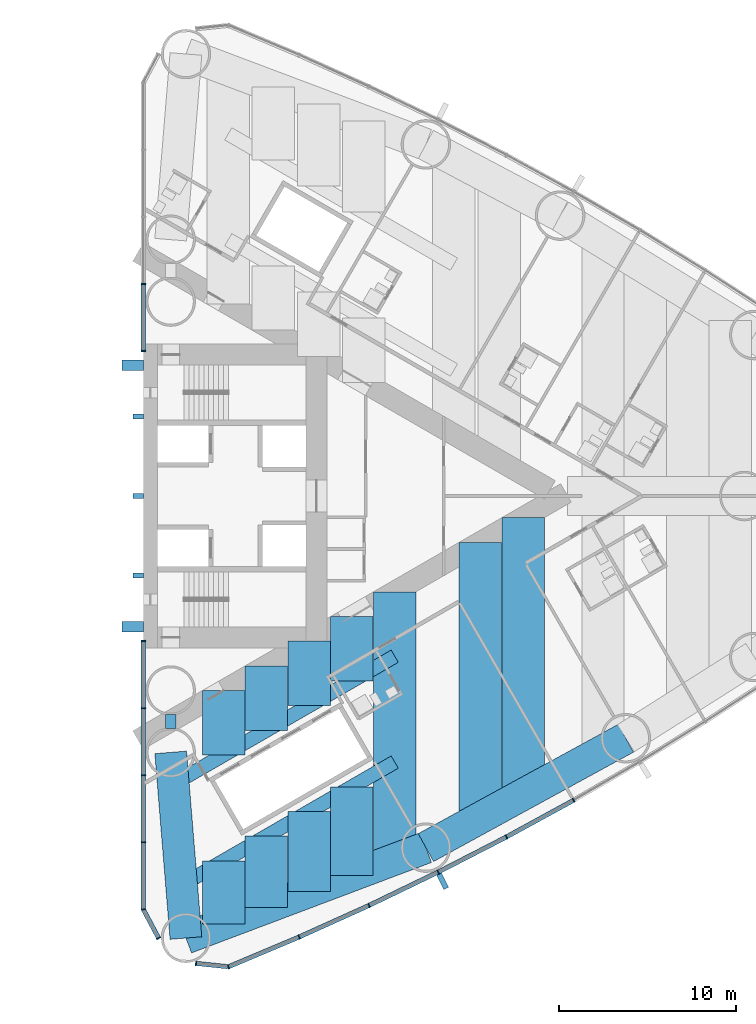
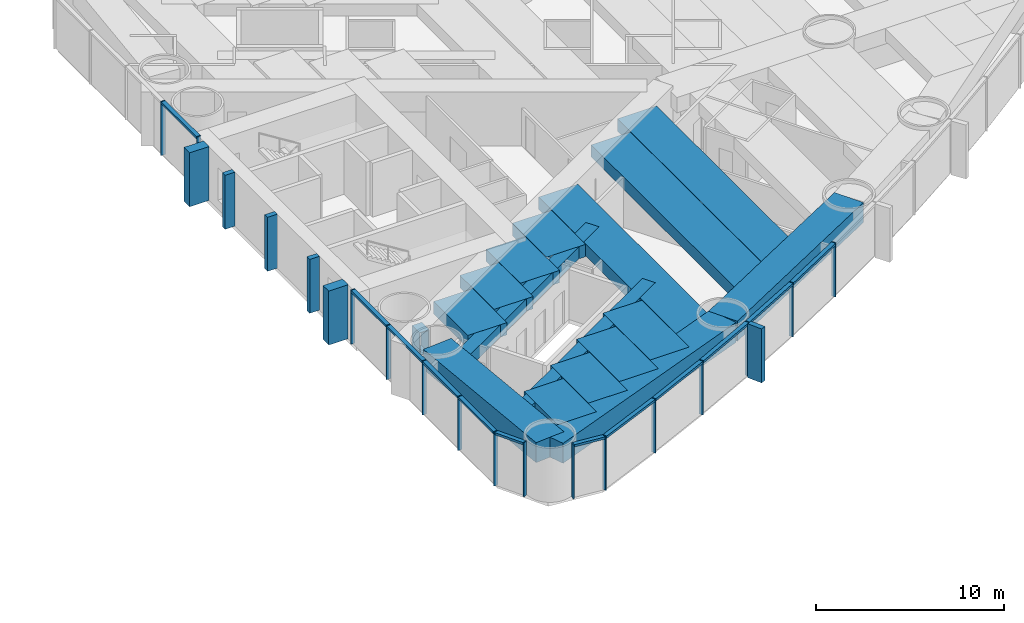
# One storey, part 6 of 19: 33 members, 17 beams, 3 elements without a shape of their own.
"""IFC4 building model written with IfcOpenShell, lengths in metres."""

import ifcopenshell
import ifcopenshell.guid

model = None  # the IFC model being written
_history = None  # IfcOwnerHistory: only IFC2X3 demands one
_inside = {}  # id of a spatial element -> (the spatial element, [elements in it])
_under = {}  # id of a project, library or spatial element -> (it, [spatial elements below it])
_declared = {}  # id of a project -> (the project, [libraries it declares])
_typed = {}  # id of a type object -> (the type object, [elements of that type])
_made_of = {}  # id of a material, layer set ... -> (it, [elements and type objects made of it])


def new_model(schema):
    """Start an empty IFC model of exactly this schema.

    Asked for "IFC4X3", IfcOpenShell would pick the latest addendum, in which some entities
    have other attributes; the version numbers below select the first issue.
    IFC2X3 requires an IfcOwnerHistory on every rooted entity: one is made here for all.
    """
    global model, _history
    if schema == "IFC4X3":
        model = ifcopenshell.file(schema_version=(4, 3, 0, 0))
    else:
        model = ifcopenshell.file(schema=schema)
    _inside.clear()
    _under.clear()
    _declared.clear()
    _typed.clear()
    _made_of.clear()
    _history = None
    if model.schema == "IFC2X3":
        org = make("IfcOrganization", Name="unknown")
        user = make(
            "IfcPersonAndOrganization",
            ThePerson=make("IfcPerson", FamilyName="unknown"),
            TheOrganization=org,
        )
        app = make(
            "IfcApplication",
            ApplicationDeveloper=org,
            Version="unknown",
            ApplicationFullName="unknown",
            ApplicationIdentifier="unknown",
        )
        _history = make(
            "IfcOwnerHistory",
            OwningUser=user,
            OwningApplication=app,
            ChangeAction="ADDED",
            CreationDate=0,
        )
    return model


def make(cls, **values):
    """One entity of the class cls with the attributes given. An attribute that is None is left unset."""
    return model.create_entity(
        cls, **{name: value for name, value in values.items() if value is not None}
    )


def rooted(cls, **values):
    """An entity with a GlobalId (a new one), such as an element, a storey or a relation."""
    return make(cls, GlobalId=ifcopenshell.guid.new(), OwnerHistory=_history, **values)


def si_unit(unit_type, name, prefix=None):
    """IfcSIUnit, for example si_unit("LENGTHUNIT", "METRE", prefix="MILLI")."""
    return make("IfcSIUnit", UnitType=unit_type, Prefix=prefix, Name=name)


def assignment(units):
    """IfcUnitAssignment: the units of a project."""
    return None if units is None else make("IfcUnitAssignment", Units=units)


def point(xyz):
    """IfcCartesianPoint."""
    return None if xyz is None else make("IfcCartesianPoint", Coordinates=xyz)


def direction(xyz):
    """IfcDirection."""
    return None if xyz is None else make("IfcDirection", DirectionRatios=xyz)


def frame(location, z_axis=None, x_axis=None):
    """IfcAxis2Placement3D, a coordinate frame: its origin and axes. An axis left out is left unset."""
    return make(
        "IfcAxis2Placement3D",
        Location=point(location),
        Axis=direction(z_axis),
        RefDirection=direction(x_axis),
    )


def frame_2d(location, x_axis=None):
    """IfcAxis2Placement2D, a coordinate frame in the plane: its origin and x axis."""
    return make(
        "IfcAxis2Placement2D", Location=point(location), RefDirection=direction(x_axis)
    )


def origin():
    """The frame at (0, 0, 0) with its axes left unset."""
    return frame((0.0, 0.0, 0.0))


def origin_2d():
    """The frame at (0, 0) in the plane with its x axis left unset."""
    return frame_2d((0.0, 0.0))


def place(relative_to, where):
    """IfcLocalPlacement: puts the frame where relative to a parent placement (None: the world)."""
    return make(
        "IfcLocalPlacement", PlacementRelTo=relative_to, RelativePlacement=where
    )


def context(
    kind, dimensions, precision=None, world=None, true_north=None, identifier=None
):
    """IfcGeometricRepresentationContext, for example the 3D "Model" context."""
    return make(
        "IfcGeometricRepresentationContext",
        ContextIdentifier=identifier,
        ContextType=kind,
        CoordinateSpaceDimension=dimensions,
        Precision=precision,
        WorldCoordinateSystem=world,
        TrueNorth=true_north,
    )


def subcontext(parent, identifier, kind, view, scale=None):
    """IfcGeometricRepresentationSubContext, for example "Body" below "Model"."""
    return make(
        "IfcGeometricRepresentationSubContext",
        ContextIdentifier=identifier,
        ContextType=kind,
        ParentContext=parent,
        TargetScale=scale,
        TargetView=view,
    )


def project(units=None, contexts=None):
    """IfcProject with its units and contexts."""
    return rooted(
        "IfcProject",
        Name="project",
        RepresentationContexts=contexts,
        UnitsInContext=assignment(units),
    )


def spatial(cls, under=None, at=None, **own):
    """A site, building, storey or space (cls), placed at a placement, below another one or the project."""
    s = rooted(cls, ObjectPlacement=at, **own)
    if under is not None:
        _under.setdefault(under.id(), (under, []))[1].append(s)
    return s


def profile(cls, at=None, kind="AREA", **sizes):
    """A parametric profile (cls). Its sizes go by their IFC names, for example OverallWidth=200.0."""
    return make(cls, ProfileType=kind, Position=at, **sizes)


def rectangle(**sizes):
    """IfcRectangleProfileDef."""
    return profile("IfcRectangleProfileDef", **sizes)


def hollow_rectangle(**sizes):
    """IfcRectangleHollowProfileDef."""
    return profile("IfcRectangleHollowProfileDef", **sizes)


def extrude(swept, where, along, depth):
    """IfcExtrudedAreaSolid: the profile swept, set in the frame where, extruded along a direction by depth."""
    return make(
        "IfcExtrudedAreaSolid",
        SweptArea=swept,
        Position=where,
        ExtrudedDirection=direction(along),
        Depth=depth,
    )


def shape(context_of_items, identifier, shape_type, items):
    """IfcShapeRepresentation: the items that make up one representation, for example the "Body"."""
    return make(
        "IfcShapeRepresentation",
        ContextOfItems=context_of_items,
        RepresentationIdentifier=identifier,
        RepresentationType=shape_type,
        Items=items,
    )


def material(Name=None, Category=None):
    """IfcMaterial."""
    return make("IfcMaterial", Name=Name, Category=Category)


def material_profile(
    of_material, cross_section, Name=None, Category=None, Priority=None
):
    """IfcMaterialProfile: a cross section and its material."""
    return make(
        "IfcMaterialProfile",
        Name=Name,
        Material=of_material,
        Profile=cross_section,
        Priority=Priority,
        Category=Category,
    )


def profile_set(profiles, Name=None, composite=None):
    """IfcMaterialProfileSet."""
    return make(
        "IfcMaterialProfileSet",
        Name=Name,
        MaterialProfiles=profiles,
        CompositeProfile=composite,
    )


def made_of(thing, what):
    """Note that an element or type object is made of a material, layer set ...; save() writes the relation."""
    if what is not None:
        _made_of.setdefault(what.id(), (what, []))[1].append(thing)
    return thing


def type_object(cls, material=None, **own):
    """A type object (cls), such as IfcWallType, which elements share."""
    return made_of(rooted(cls, **own), material)


def element(
    cls,
    number,
    at=None,
    inside=None,
    cuts=None,
    type_object=None,
    material=None,
    context=None,
    identifier="Body",
    shape_type=None,
    held_by="IfcProductDefinitionShape",
    body=None,
    shapes=None,
    **own,
):
    """One element of the class cls, such as IfcWall. Its Tag is "e" and its number.

    at: its placement. inside: the storey or other place that contains it. cuts: it is an
    opening in that element (IfcRelVoidsElement). A single representation is given by context,
    identifier, shape_type and body (its items); several are given by shapes. held_by: the class
    of the entity that holds the representations. save() writes the other relations.
    """
    e = rooted(cls, Tag="e%d" % number, ObjectPlacement=at, **own)
    if body is not None:
        shapes = [shape(context, identifier, shape_type, body)]
    if shapes is not None:
        e.Representation = make(held_by, Representations=shapes)
    if inside is not None:
        _inside.setdefault(inside.id(), (inside, []))[1].append(e)
    if cuts is not None:
        rooted(
            "IfcRelVoidsElement", RelatingBuildingElement=cuts, RelatedOpeningElement=e
        )
    if type_object is not None:
        _typed.setdefault(type_object.id(), (type_object, []))[1].append(e)
    return made_of(e, material)


def aggregate(whole, parts):
    """IfcRelAggregates: a whole, such as a stair, and the parts it consists of."""
    return rooted("IfcRelAggregates", RelatingObject=whole, RelatedObjects=parts)


def save(model, path):
    """Write the relations noted so far, then the file.

    IfcRelAggregates (storeys below a building ...), IfcRelContainedInSpatialStructure (elements
    in a storey), IfcRelDefinesByType, IfcRelAssociatesMaterial and IfcRelDeclares: one each for
    every whole, place, type object, material and project.
    """
    for whole, parts in _under.values():
        aggregate(whole, parts)
    for where, things in _inside.values():
        rooted(
            "IfcRelContainedInSpatialStructure",
            RelatedElements=things,
            RelatingStructure=where,
        )
    for kind, things in _typed.values():
        rooted("IfcRelDefinesByType", RelatedObjects=things, RelatingType=kind)
    for what, things in _made_of.values():
        rooted("IfcRelAssociatesMaterial", RelatedObjects=things, RelatingMaterial=what)
    for by, libraries in _declared.values():
        rooted("IfcRelDeclares", RelatingContext=by, RelatedDefinitions=libraries)
    model.write(path)


model = new_model("IFC4")

# Units and contexts
model_context = context("Model", 3, precision=1e-05, world=origin(), true_north=direction((0.0, 1.0)))
body_context = subcontext(model_context, "Body", "Model", "MODEL_VIEW")
ifc_project = project(units=[si_unit("LENGTHUNIT", "METRE"), si_unit("AREAUNIT", "SQUARE_METRE"), si_unit("VOLUMEUNIT", "CUBIC_METRE"), si_unit("PLANEANGLEUNIT", "RADIAN"), si_unit("MASSUNIT", "GRAM", prefix="KILO")], contexts=[model_context])

# Site, building, storey
site_placement = place(None, origin())
site = spatial("IfcSite", under=ifc_project, at=site_placement, CompositionType="ELEMENT")
building_placement = place(site_placement, origin())
building = spatial("IfcBuilding", under=site, at=building_placement, Name="Lancet Gate Hotel", CompositionType="ELEMENT")
storey_placement = place(building_placement, frame((0.0, 0.0, 25.0)))
storey = spatial("IfcBuildingStorey", under=building, at=storey_placement, Name="L05", CompositionType="ELEMENT", Elevation=25.0)

# Curtain wall, members
ifc_material_1 = material(Name="Aluminium curtain wall", Category="aluminium")
curtain_wall_type = type_object("IfcCurtainWallType", Name="Tower unitised curtain wall", PredefinedType="USERDEFINED", material=ifc_material_1)
curtain_wall_1_placement = place(storey_placement, origin())
curtain_wall_1 = element("IfcCurtainWall", 1, at=curtain_wall_1_placement, inside=storey, type_object=curtain_wall_type, Name="T2 L05 curtain wall 1", ObjectType="UNITISED CURTAIN WALL", PredefinedType="USERDEFINED")
ifc_material_2 = material(Name="Aluminium mullion", Category="aluminium")
ifc_material_profile_1 = material_profile(ifc_material_2, rectangle(XDim=0.06494140625, YDim=0.25, at=origin_2d()), Name="MULLION 65x250")
ifc_profile_set_1 = profile_set([ifc_material_profile_1], Name="Aluminium mullion")
member_type_1 = type_object("IfcMemberType", Name="Aluminium mullion 65x250", PredefinedType="MULLION", material=ifc_profile_set_1)
member_1_placement = place(storey_placement, frame((27.5, -8.199951171875, 0.0), z_axis=(0.0, 0.0, 1.0), x_axis=(0.0, -1.0, 0.0)))
member_1 = element("IfcMember", 2, at=member_1_placement, type_object=member_type_1, Name="T2 L05 curtain wall 1 mullion 1", PredefinedType="MULLION", context=body_context, shape_type="SweptSolid", body=[
    extrude(rectangle(XDim=0.06494140625, YDim=0.25, at=origin_2d()), origin(), (0.0, 0.0, 1.0), 3.5),
])
member_2_placement = place(storey_placement, frame((27.5, -11.99609375, 0.0), z_axis=(0.0, 0.0, 1.0), x_axis=(0.0, -1.0, 0.0)))
member_2 = element("IfcMember", 3, at=member_2_placement, type_object=member_type_1, Name="T2 L05 curtain wall 1 mullion 2", PredefinedType="MULLION", context=body_context, shape_type="SweptSolid", body=[
    extrude(rectangle(XDim=0.06494140625, YDim=0.25, at=origin_2d()), origin(), (0.0, 0.0, 1.0), 3.5),
])
member_3_placement = place(storey_placement, frame((27.5, -15.79248046875, 0.0), z_axis=(0.0, 0.0, 1.0), x_axis=(0.0, -1.0, 0.0)))
member_3 = element("IfcMember", 4, at=member_3_placement, type_object=member_type_1, Name="T2 L05 curtain wall 1 mullion 3", PredefinedType="MULLION", context=body_context, shape_type="SweptSolid", body=[
    extrude(rectangle(XDim=0.06494140625, YDim=0.25, at=origin_2d()), origin(), (0.0, 0.0, 1.0), 3.5),
])
member_4_placement = place(storey_placement, frame((27.5, -19.588623046875, 0.0), z_axis=(0.0, 0.0, 1.0), x_axis=(0.0, -1.0, 0.0)))
member_4 = element("IfcMember", 5, at=member_4_placement, type_object=member_type_1, Name="T2 L05 curtain wall 1 mullion 4", PredefinedType="MULLION", context=body_context, shape_type="SweptSolid", body=[
    extrude(rectangle(XDim=0.06494140625, YDim=0.25, at=origin_2d()), origin(), (0.0, 0.0, 1.0), 3.5),
])
member_5_placement = place(storey_placement, frame((27.5, -23.384765625, 0.0), z_axis=(0.0, 0.0, 1.0), x_axis=(0.157751691459, -0.987478811844, 0.0)))
member_5 = element("IfcMember", 6, at=member_5_placement, type_object=member_type_1, Name="T2 L05 curtain wall 1 mullion 5", PredefinedType="MULLION", context=body_context, shape_type="SweptSolid", body=[
    extrude(rectangle(XDim=0.06494140625, YDim=0.25, at=origin_2d()), origin(), (0.0, 0.0, 1.0), 3.5),
])
member_6_placement = place(storey_placement, frame((28.366455078125, -25.012451171875, 0.0), z_axis=(0.0, 0.0, 1.0), x_axis=(0.469897827284, -0.882720811987, 0.0)))
member_6 = element("IfcMember", 7, at=member_6_placement, type_object=member_type_1, Name="T2 L05 curtain wall 1 mullion 6", PredefinedType="MULLION", context=body_context, shape_type="SweptSolid", body=[
    extrude(rectangle(XDim=0.06494140625, YDim=0.25, at=origin_2d()), origin(), (0.0, 0.0, 1.0), 3.5),
])

curtain_wall_2_placement = place(storey_placement, origin())
curtain_wall_2 = element("IfcCurtainWall", 8, at=curtain_wall_2_placement, inside=storey, type_object=curtain_wall_type, Name="T2 L05 curtain wall 2", ObjectType="UNITISED CURTAIN WALL", PredefinedType="USERDEFINED")
member_7_placement = place(storey_placement, frame((30.48388671875, -26.4375, 0.0), z_axis=(0.0, 0.0, 1.0), x_axis=(0.994672262412, -0.10308778001, 0.0)))
member_7 = element("IfcMember", 9, at=member_7_placement, type_object=member_type_1, Name="T2 L05 curtain wall 2 mullion 1", PredefinedType="MULLION", context=body_context, shape_type="SweptSolid", body=[
    extrude(rectangle(XDim=0.06494140625, YDim=0.25, at=origin_2d()), origin(), (0.0, 0.0, 1.0), 3.5),
])
member_8_placement = place(storey_placement, frame((32.3173828125, -26.62744140625, 0.0), z_axis=(0.0, 0.0, 1.0), x_axis=(0.968721492963, 0.248150496819, 0.0)))
member_8 = element("IfcMember", 10, at=member_8_placement, type_object=member_type_1, Name="T2 L05 curtain wall 2 mullion 2", PredefinedType="MULLION", context=body_context, shape_type="SweptSolid", body=[
    extrude(rectangle(XDim=0.06494140625, YDim=0.25, at=origin_2d()), origin(), (0.0, 0.0, 1.0), 3.5),
])
member_9_placement = place(storey_placement, frame((36.31494140625, -24.943603515625, 0.0), z_axis=(0.0, 0.0, 1.0), x_axis=(0.916578705089, 0.399854320193, 0.0)))
member_9 = element("IfcMember", 11, at=member_9_placement, type_object=member_type_1, Name="T2 L05 curtain wall 2 mullion 3", PredefinedType="MULLION", context=body_context, shape_type="SweptSolid", body=[
    extrude(rectangle(XDim=0.06494140625, YDim=0.25, at=origin_2d()), origin(), (0.0, 0.0, 1.0), 3.5),
])
member_10_placement = place(storey_placement, frame((40.2685546875, -23.15869140625, 0.0), z_axis=(0.0, 0.0, 1.0), x_axis=(0.906104948671, 0.423052977762, 0.0)))
member_10 = element("IfcMember", 12, at=member_10_placement, type_object=member_type_1, Name="T2 L05 curtain wall 2 mullion 4", PredefinedType="MULLION", context=body_context, shape_type="SweptSolid", body=[
    extrude(rectangle(XDim=0.06494140625, YDim=0.25, at=origin_2d()), origin(), (0.0, 0.0, 1.0), 3.5),
])
member_11_placement = place(storey_placement, frame((44.17529296875, -21.273681640625, 0.0), z_axis=(0.0, 0.0, 1.0), x_axis=(0.895044147438, 0.445977548917, 0.0)))
member_11 = element("IfcMember", 13, at=member_11_placement, type_object=member_type_1, Name="T2 L05 curtain wall 2 mullion 5", PredefinedType="MULLION", context=body_context, shape_type="SweptSolid", body=[
    extrude(rectangle(XDim=0.06494140625, YDim=0.25, at=origin_2d()), origin(), (0.0, 0.0, 1.0), 3.5),
])
member_12_placement = place(storey_placement, frame((48.03271484375, -19.2900390625, 0.0), z_axis=(0.0, 0.0, 1.0), x_axis=(0.88340346743, 0.468613181347, 0.0)))
member_12 = element("IfcMember", 14, at=member_12_placement, type_object=member_type_1, Name="T2 L05 curtain wall 2 mullion 6", PredefinedType="MULLION", context=body_context, shape_type="SweptSolid", body=[
    extrude(rectangle(XDim=0.06494140625, YDim=0.25, at=origin_2d()), origin(), (0.0, 0.0, 1.0), 3.5),
])
member_13_placement = place(storey_placement, frame((51.838623046875, -17.208740234375, 0.0), z_axis=(0.0, 0.0, 1.0), x_axis=(0.871190450382, 0.490945209941, 0.0)))
member_13 = element("IfcMember", 15, at=member_13_placement, type_object=member_type_1, Name="T2 L05 curtain wall 2 mullion 7", PredefinedType="MULLION", context=body_context, shape_type="SweptSolid", body=[
    extrude(rectangle(XDim=0.06494140625, YDim=0.25, at=origin_2d()), origin(), (0.0, 0.0, 1.0), 3.5),
])

curtain_wall_3_placement = place(storey_placement, origin())
curtain_wall_3 = element("IfcCurtainWall", 16, at=curtain_wall_3_placement, inside=storey, type_object=curtain_wall_type, Name="T2 L05 curtain wall 4", ObjectType="UNITISED CURTAIN WALL", PredefinedType="USERDEFINED")
member_14_placement = place(storey_placement, frame((27.5, 11.99609375, 0.0), z_axis=(0.0, 0.0, 1.0), x_axis=(0.0, -1.0, 0.0)))
member_14 = element("IfcMember", 17, at=member_14_placement, type_object=member_type_1, Name="T2 L05 curtain wall 4 mullion 5", PredefinedType="MULLION", context=body_context, shape_type="SweptSolid", body=[
    extrude(rectangle(XDim=0.06494140625, YDim=0.25, at=origin_2d()), origin(), (0.0, 0.0, 1.0), 3.5),
])
member_15_placement = place(storey_placement, frame((27.5, 8.199951171875, 0.0), z_axis=(0.0, 0.0, 1.0), x_axis=(0.0, -1.0, 0.0)))
member_15 = element("IfcMember", 18, at=member_15_placement, type_object=member_type_1, Name="T2 L05 curtain wall 4 mullion 6", PredefinedType="MULLION", context=body_context, shape_type="SweptSolid", body=[
    extrude(rectangle(XDim=0.06494140625, YDim=0.25, at=origin_2d()), origin(), (0.0, 0.0, 1.0), 3.5),
])

# Member
ifc_material_3 = material(Name="Aluminium transom", Category="aluminium")
ifc_material_profile_2 = material_profile(ifc_material_3, rectangle(XDim=0.25, YDim=0.14990234375, at=origin_2d()), Name="TRANSOM 250x150")
ifc_profile_set_2 = profile_set([ifc_material_profile_2], Name="Aluminium transom")
member_type_2 = type_object("IfcMemberType", Name="Aluminium transom 250x150", PredefinedType="USERDEFINED", material=ifc_profile_set_2)
member_16_placement = place(storey_placement, frame((27.5, -8.232421875, 3.425048828125), z_axis=(0.0, -1.0, 0.0), x_axis=(1.0, 0.0, 0.0)))
member_16 = element("IfcMember", 19, at=member_16_placement, type_object=member_type_2, Name="T2 L05 curtain wall 1 transom 1", ObjectType="TRANSOM", PredefinedType="USERDEFINED", context=body_context, shape_type="SweptSolid", body=[
    extrude(rectangle(XDim=0.25, YDim=0.14990234375, at=origin_2d()), origin(), (0.0, 0.0, 1.0), 3.731201171875),
])

member_17_placement = place(storey_placement, frame((27.5, -12.02880859375, 3.425048828125), z_axis=(0.0, -1.0, 0.0), x_axis=(1.0, 0.0, 0.0)))
member_17 = element("IfcMember", 20, at=member_17_placement, type_object=member_type_2, Name="T2 L05 curtain wall 1 transom 2", ObjectType="TRANSOM", PredefinedType="USERDEFINED", context=body_context, shape_type="SweptSolid", body=[
    extrude(rectangle(XDim=0.25, YDim=0.14990234375, at=origin_2d()), origin(), (0.0, 0.0, 1.0), 3.731201171875),
])

member_18_placement = place(storey_placement, frame((27.5, -15.824951171875, 3.425048828125), z_axis=(0.0, -1.0, 0.0), x_axis=(1.0, 0.0, 0.0)))
member_18 = element("IfcMember", 21, at=member_18_placement, type_object=member_type_2, Name="T2 L05 curtain wall 1 transom 3", ObjectType="TRANSOM", PredefinedType="USERDEFINED", context=body_context, shape_type="SweptSolid", body=[
    extrude(rectangle(XDim=0.25, YDim=0.14990234375, at=origin_2d()), origin(), (0.0, 0.0, 1.0), 3.731201171875),
])

member_19_placement = place(storey_placement, frame((27.5, -19.62109375, 3.425048828125), z_axis=(0.0, -1.0, 0.0), x_axis=(1.0, 0.0, 0.0)))
member_19 = element("IfcMember", 22, at=member_19_placement, type_object=member_type_2, Name="T2 L05 curtain wall 1 transom 4", ObjectType="TRANSOM", PredefinedType="USERDEFINED", context=body_context, shape_type="SweptSolid", body=[
    extrude(rectangle(XDim=0.25, YDim=0.14990234375, at=origin_2d()), origin(), (0.0, 0.0, 1.0), 3.731201171875),
])

member_20_placement = place(storey_placement, frame((27.515380859375, -23.41357421875, 3.425048828125), z_axis=(0.469904276347, -0.882717378933, 0.0), x_axis=(0.882717378933, 0.469904276347, 0.0)))
member_20 = element("IfcMember", 23, at=member_20_placement, type_object=member_type_2, Name="T2 L05 curtain wall 1 transom 5", ObjectType="TRANSOM", PredefinedType="USERDEFINED", context=body_context, shape_type="SweptSolid", body=[
    extrude(rectangle(XDim=0.25, YDim=0.14990234375, at=origin_2d()), origin(), (0.0, 0.0, 1.0), 1.779052734375),
])

aggregate(curtain_wall_1, [member_1, member_2, member_3, member_4, member_5, member_6, member_16, member_17, member_18, member_19, member_20])

member_21_placement = place(storey_placement, frame((30.516357421875, -26.440673828125, 3.425048828125), z_axis=(0.994670452051, -0.103105246306, 0.0), x_axis=(0.103105246306, 0.994670452051, 0.0)))
member_21 = element("IfcMember", 24, at=member_21_placement, type_object=member_type_2, Name="T2 L05 curtain wall 2 transom 1", ObjectType="TRANSOM", PredefinedType="USERDEFINED", context=body_context, shape_type="SweptSolid", body=[
    extrude(rectangle(XDim=0.25, YDim=0.14990234375, at=origin_2d()), origin(), (0.0, 0.0, 1.0), 1.7783203125),
])

member_22_placement = place(storey_placement, frame((32.347412109375, -26.61474609375, 3.425048828125), z_axis=(0.92159772617, 0.388146404233, 0.0), x_axis=(-0.388146404233, 0.92159772617, 0.0)))
member_22 = element("IfcMember", 25, at=member_22_placement, type_object=member_type_2, Name="T2 L05 curtain wall 2 transom 2", ObjectType="TRANSOM", PredefinedType="USERDEFINED", context=body_context, shape_type="SweptSolid", body=[
    extrude(rectangle(XDim=0.25, YDim=0.14990234375, at=origin_2d()), origin(), (0.0, 0.0, 1.0), 4.272705078125),
])

member_23_placement = place(storey_placement, frame((36.3447265625, -24.930419921875, 3.425048828125), z_axis=(0.911396871737, 0.411528543589, 0.0), x_axis=(-0.411528543589, 0.911396871737, 0.0)))
member_23 = element("IfcMember", 26, at=member_23_placement, type_object=member_type_2, Name="T2 L05 curtain wall 2 transom 3", ObjectType="TRANSOM", PredefinedType="USERDEFINED", context=body_context, shape_type="SweptSolid", body=[
    extrude(rectangle(XDim=0.25, YDim=0.14990234375, at=origin_2d()), origin(), (0.0, 0.0, 1.0), 4.272705078125),
])

member_24_placement = place(storey_placement, frame((40.2978515625, -23.14453125, 3.425048828125), z_axis=(0.900646499888, 0.434552508035, 0.0), x_axis=(-0.434552508035, 0.900646499888, 0.0)))
member_24 = element("IfcMember", 27, at=member_24_placement, type_object=member_type_2, Name="T2 L05 curtain wall 2 transom 4", ObjectType="TRANSOM", PredefinedType="USERDEFINED", context=body_context, shape_type="SweptSolid", body=[
    extrude(rectangle(XDim=0.25, YDim=0.14990234375, at=origin_2d()), origin(), (0.0, 0.0, 1.0), 4.272705078125),
])

member_25_placement = place(storey_placement, frame((44.2041015625, -21.259033203125, 3.425048828125), z_axis=(0.88929576978, 0.457332520002, 0.0), x_axis=(-0.457332520002, 0.88929576978, 0.0)))
member_25 = element("IfcMember", 28, at=member_25_placement, type_object=member_type_2, Name="T2 L05 curtain wall 2 transom 5", ObjectType="TRANSOM", PredefinedType="USERDEFINED", context=body_context, shape_type="SweptSolid", body=[
    extrude(rectangle(XDim=0.25, YDim=0.14990234375, at=origin_2d()), origin(), (0.0, 0.0, 1.0), 4.272705078125),
])

member_26_placement = place(storey_placement, frame((48.061279296875, -19.2744140625, 3.425048828125), z_axis=(0.877377528879, 0.479800658417, 0.0), x_axis=(-0.479800658417, 0.877377528879, 0.0)))
member_26 = element("IfcMember", 29, at=member_26_placement, type_object=member_type_2, Name="T2 L05 curtain wall 2 transom 6", ObjectType="TRANSOM", PredefinedType="USERDEFINED", context=body_context, shape_type="SweptSolid", body=[
    extrude(rectangle(XDim=0.25, YDim=0.14990234375, at=origin_2d()), origin(), (0.0, 0.0, 1.0), 4.272705078125),
])

member_27_placement = place(storey_placement, frame((27.5, 11.963623046875, 3.425048828125), z_axis=(0.0, -1.0, 0.0), x_axis=(1.0, 0.0, 0.0)))
member_27 = element("IfcMember", 30, at=member_27_placement, type_object=member_type_2, Name="T2 L05 curtain wall 4 transom 5", ObjectType="TRANSOM", PredefinedType="USERDEFINED", context=body_context, shape_type="SweptSolid", body=[
    extrude(rectangle(XDim=0.25, YDim=0.14990234375, at=origin_2d()), origin(), (0.0, 0.0, 1.0), 3.731201171875),
])

aggregate(curtain_wall_3, [member_14, member_15, member_27])

# Beams
ifc_material_4 = material(Name="Concrete C50/60", Category="concrete")
ifc_material_profile_3 = material_profile(ifc_material_4, rectangle(XDim=1.800048828125, YDim=1.300048828125, at=origin_2d()), Name="RC 1800x1300")
ifc_profile_set_3 = profile_set([ifc_material_profile_3], Name="Concrete C50/60")
beam_type_1 = type_object("IfcBeamType", Name="Edge beam RC 1800x1300", PredefinedType="SPANDREL", material=ifc_profile_set_3)
beam_1_placement = place(storey_placement, frame((29.9111328125, -25.00244140625, 2.60009765625), z_axis=(0.935736448066, 0.352700013836, 0.0), x_axis=(-0.352700013836, 0.935736448066, 0.0)))
element("IfcBeam", 31, at=beam_1_placement, inside=storey, type_object=beam_type_1, Name="T2 edge beam EB1 L05", PredefinedType="SPANDREL", context=body_context, shape_type="SweptSolid", body=[
    extrude(rectangle(XDim=1.800048828125, YDim=1.300048828125, at=origin_2d()), origin(), (0.0, 0.0, 1.0), 14.505126953125),
])
beam_2_placement = place(storey_placement, frame((43.484130859375, -19.886474609375, 2.60009765625), z_axis=(0.87736889738, 0.479816441893, 0.0), x_axis=(-0.479816441893, 0.87736889738, 0.0)))
element("IfcBeam", 32, at=beam_2_placement, inside=storey, type_object=beam_type_1, Name="T2 edge beam EB1 L05", PredefinedType="SPANDREL", context=body_context, shape_type="SweptSolid", body=[
    extrude(rectangle(XDim=1.800048828125, YDim=1.300048828125, at=origin_2d()), origin(), (0.0, 0.0, 1.0), 12.89208984375),
])
beam_3_placement = place(storey_placement, frame((29.9111328125, -25.00244140625, 2.60009765625), z_axis=(-0.081714744052, 0.996655758326, 0.0), x_axis=(-0.996655758326, -0.081714744052, 0.0)))
element("IfcBeam", 33, at=beam_3_placement, inside=storey, type_object=beam_type_1, Name="T2 edge beam EB1 L05", PredefinedType="SPANDREL", context=body_context, shape_type="SweptSolid", body=[
    extrude(rectangle(XDim=1.800048828125, YDim=1.300048828125, at=origin_2d()), origin(), (0.0, 0.0, 1.0), 10.53759765625),
])

# Members
ifc_material_5 = material(Name="Concrete C60/75", Category="concrete")
ifc_material_profile_4 = material_profile(ifc_material_5, rectangle(XDim=0.60009765625, YDim=1.199951171875, at=origin_2d()), Name="FIN 600x1200")
ifc_profile_set_4 = profile_set([ifc_material_profile_4], Name="Concrete C60/75")
member_type_3 = type_object("IfcMemberType", Name="Exposed concrete buttress pilaster 600x1200", PredefinedType="USERDEFINED", material=ifc_profile_set_4)
for number, where, z_axis, x_axis, name in (
    (34, (26.909912109375, -7.39990234375, 0.0), (0.0, 0.0, 1.0), (0.0, 1.0, 0.0), "T2 buttress pilaster S L05"),
    (35, (26.909912109375, 7.39990234375, 0.0), (0.0, 0.0, 1.0), (0.0, 1.0, 0.0), "T2 buttress pilaster N L05"),
):
    element("IfcMember", number, at=place(storey_placement, frame(where, z_axis=z_axis, x_axis=x_axis)), inside=storey, type_object=member_type_3, Name=name, ObjectType="FIN", PredefinedType="USERDEFINED", context=body_context, shape_type="SweptSolid", body=[
        extrude(rectangle(XDim=0.60009765625, YDim=1.199951171875, at=origin_2d()), origin(), (0.0, 0.0, 1.0), 3.5),
    ])

# Member
ifc_material_6 = material(Name="Precast concrete C50/60", Category="concrete")
ifc_material_profile_5 = material_profile(ifc_material_6, rectangle(XDim=0.300048828125, YDim=0.89990234375, at=origin_2d()), Name="FIN 300x900")
ifc_profile_set_5 = profile_set([ifc_material_profile_5], Name="Precast concrete C50/60")
member_type_4 = type_object("IfcMemberType", Name="Exposed concrete fin 300x900", PredefinedType="USERDEFINED", material=ifc_profile_set_5)
member_28_placement = place(storey_placement, frame((44.431640625, -21.788330078125, 0.0), z_axis=(0.0, 0.0, 1.0), x_axis=(0.895044147438, 0.445977548917, 0.0)))
member_28 = element("IfcMember", 36, at=member_28_placement, type_object=member_type_4, Name="T2 L05 curtain wall 2 fin 5", ObjectType="FIN", PredefinedType="USERDEFINED", context=body_context, shape_type="SweptSolid", body=[
    extrude(rectangle(XDim=0.300048828125, YDim=0.89990234375, at=origin_2d()), origin(), (0.0, 0.0, 1.0), 3.5),
])

aggregate(curtain_wall_2, [member_7, member_8, member_9, member_10, member_11, member_28, member_12, member_13, member_21, member_22, member_23, member_24, member_25, member_26])

# Members
ifc_material_7 = material(Name="Concrete C60/75", Category="concrete")
ifc_material_profile_6 = material_profile(ifc_material_7, rectangle(XDim=0.300048828125, YDim=0.60009765625, at=origin_2d()), Name="FIN 300x600")
ifc_profile_set_6 = profile_set([ifc_material_profile_6], Name="Concrete C60/75")
member_type_5 = type_object("IfcMemberType", Name="Exposed concrete rib 300x600", PredefinedType="USERDEFINED", material=ifc_profile_set_6)
for number, where, z_axis, x_axis, name in (
    (37, (27.2099609375, -4.5, 0.0), (0.0, 0.0, 1.0), (0.0, 1.0, 0.0), "T2 core rib 1 L05"),
    (38, (27.2099609375, 0.0, 0.0), (0.0, 0.0, 1.0), (0.0, 1.0, 0.0), "T2 core rib 2 L05"),
    (39, (27.2099609375, 4.5, 0.0), (0.0, 0.0, 1.0), (0.0, 1.0, 0.0), "T2 core rib 3 L05"),
):
    element("IfcMember", number, at=place(storey_placement, frame(where, z_axis=z_axis, x_axis=x_axis)), inside=storey, type_object=member_type_5, Name=name, ObjectType="FIN", PredefinedType="USERDEFINED", context=body_context, shape_type="SweptSolid", body=[
        extrude(rectangle(XDim=0.300048828125, YDim=0.60009765625, at=origin_2d()), origin(), (0.0, 0.0, 1.0), 3.5),
    ])

# Beams
ifc_material_8 = material(Name="Concrete C50/60", Category="concrete")
ifc_material_profile_7 = material_profile(ifc_material_8, rectangle(XDim=2.39990234375, YDim=0.800048828125, at=origin_2d()), Name="RC 2400x800")
ifc_profile_set_7 = profile_set([ifc_material_profile_7], Name="Concrete C50/60")
beam_type_2 = type_object("IfcBeamType", Name="Floor beam RC 2400x800", PredefinedType="BEAM", material=ifc_profile_set_7)
beam_4_placement = place(storey_placement, frame((41.721435546875, -20.55078125, 2.85009765625), z_axis=(0.0, 1.0, 0.0), x_axis=(-1.0, 0.0, 0.0)))
element("IfcBeam", 40, at=beam_4_placement, inside=storey, type_object=beam_type_2, Name="T2 floor beam F11S L05", PredefinedType="BEAM", context=body_context, shape_type="SweptSolid", body=[
    extrude(rectangle(XDim=2.39990234375, YDim=0.800048828125, at=origin_2d()), origin(), (0.0, 0.0, 1.0), 15.134765625),
])
beam_5_placement = place(storey_placement, frame((46.561767578125, -18.203369140625, 2.85009765625), z_axis=(0.0, 1.0, 0.0), x_axis=(-1.0, 0.0, 0.0)))
element("IfcBeam", 41, at=beam_5_placement, inside=storey, type_object=beam_type_2, Name="T2 floor beam F13S L05", PredefinedType="BEAM", context=body_context, shape_type="SweptSolid", body=[
    extrude(rectangle(XDim=2.39990234375, YDim=0.800048828125, at=origin_2d()), origin(), (0.0, 0.0, 1.0), 15.58203125),
])
beam_6_placement = place(storey_placement, frame((48.98193359375, -16.879638671875, 2.85009765625), z_axis=(0.0, 1.0, 0.0), x_axis=(-1.0, 0.0, 0.0)))
element("IfcBeam", 42, at=beam_6_placement, inside=storey, type_object=beam_type_2, Name="T2 floor beam F15S L05", PredefinedType="BEAM", context=body_context, shape_type="SweptSolid", body=[
    extrude(rectangle(XDim=2.39990234375, YDim=0.800048828125, at=origin_2d()), origin(), (0.0, 0.0, 1.0), 15.655517578125),
])
beam_7_placement = place(storey_placement, frame((32.04052734375, -24.199951171875, 2.85009765625), z_axis=(0.0, 1.0, 0.0), x_axis=(-1.0, 0.0, 0.0)))
element("IfcBeam", 43, at=beam_7_placement, inside=storey, type_object=beam_type_2, Name="T2 floor beam F03SA L05", PredefinedType="BEAM", context=body_context, shape_type="SweptSolid", body=[
    extrude(rectangle(XDim=2.39990234375, YDim=0.800048828125, at=origin_2d()), origin(), (0.0, 0.0, 1.0), 3.5615234375),
])
beam_8_placement = place(storey_placement, frame((32.04052734375, -14.65087890625, 2.85009765625), z_axis=(0.0, 1.0, 0.0), x_axis=(-1.0, 0.0, 0.0)))
element("IfcBeam", 44, at=beam_8_placement, inside=storey, type_object=beam_type_2, Name="T2 floor beam F03SB L05", PredefinedType="BEAM", context=body_context, shape_type="SweptSolid", body=[
    extrude(rectangle(XDim=2.39990234375, YDim=0.800048828125, at=origin_2d()), origin(), (0.0, 0.0, 1.0), 3.6455078125),
])
beam_9_placement = place(storey_placement, frame((34.460693359375, -23.28759765625, 2.85009765625), z_axis=(0.0, 1.0, 0.0), x_axis=(-1.0, 0.0, 0.0)))
element("IfcBeam", 45, at=beam_9_placement, inside=storey, type_object=beam_type_2, Name="T2 floor beam F05SA L05", PredefinedType="BEAM", context=body_context, shape_type="SweptSolid", body=[
    extrude(rectangle(XDim=2.39990234375, YDim=0.800048828125, at=origin_2d()), origin(), (0.0, 0.0, 1.0), 4.04638671875),
])
beam_10_placement = place(storey_placement, frame((34.460693359375, -13.253662109375, 2.85009765625), z_axis=(0.0, 1.0, 0.0), x_axis=(-1.0, 0.0, 0.0)))
element("IfcBeam", 46, at=beam_10_placement, inside=storey, type_object=beam_type_2, Name="T2 floor beam F05SB L05", PredefinedType="BEAM", context=body_context, shape_type="SweptSolid", body=[
    extrude(rectangle(XDim=2.39990234375, YDim=0.800048828125, at=origin_2d()), origin(), (0.0, 0.0, 1.0), 3.645751953125),
])
beam_11_placement = place(storey_placement, frame((36.880859375, -22.37548828125, 2.85009765625), z_axis=(0.0, 1.0, 0.0), x_axis=(-1.0, 0.0, 0.0)))
element("IfcBeam", 47, at=beam_11_placement, inside=storey, type_object=beam_type_2, Name="T2 floor beam F07SA L05", PredefinedType="BEAM", context=body_context, shape_type="SweptSolid", body=[
    extrude(rectangle(XDim=2.39990234375, YDim=0.800048828125, at=origin_2d()), origin(), (0.0, 0.0, 1.0), 4.53173828125),
])
beam_12_placement = place(storey_placement, frame((36.880859375, -11.8564453125, 2.85009765625), z_axis=(0.0, 1.0, 0.0), x_axis=(-1.0, 0.0, 0.0)))
element("IfcBeam", 48, at=beam_12_placement, inside=storey, type_object=beam_type_2, Name="T2 floor beam F07SB L05", PredefinedType="BEAM", context=body_context, shape_type="SweptSolid", body=[
    extrude(rectangle(XDim=2.39990234375, YDim=0.800048828125, at=origin_2d()), origin(), (0.0, 0.0, 1.0), 3.645751953125),
])
beam_13_placement = place(storey_placement, frame((39.301025390625, -21.463134765625, 2.85009765625), z_axis=(0.0, 1.0, 0.0), x_axis=(-1.0, 0.0, 0.0)))
element("IfcBeam", 49, at=beam_13_placement, inside=storey, type_object=beam_type_2, Name="T2 floor beam F09SA L05", PredefinedType="BEAM", context=body_context, shape_type="SweptSolid", body=[
    extrude(rectangle(XDim=2.39990234375, YDim=0.800048828125, at=origin_2d()), origin(), (0.0, 0.0, 1.0), 5.0166015625),
])
beam_14_placement = place(storey_placement, frame((39.301025390625, -10.458984375, 2.85009765625), z_axis=(0.0, 1.0, 0.0), x_axis=(-1.0, 0.0, 0.0)))
element("IfcBeam", 50, at=beam_14_placement, inside=storey, type_object=beam_type_2, Name="T2 floor beam F09SB L05", PredefinedType="BEAM", context=body_context, shape_type="SweptSolid", body=[
    extrude(rectangle(XDim=2.39990234375, YDim=0.800048828125, at=origin_2d()), origin(), (0.0, 0.0, 1.0), 3.6455078125),
])
ifc_material_9 = material(Name="Steel S460QL", Category="steel")
ifc_material_profile_8 = material_profile(ifc_material_9, hollow_rectangle(XDim=0.60009765625, YDim=1.5, WallThickness=0.050048828125, at=origin_2d()), Name="BOX 1500x600x50")
ifc_profile_set_8 = profile_set([ifc_material_profile_8], Name="Steel S460QL")
beam_type_3 = type_object("IfcBeamType", Name="Inner-face link beam BOX 1500x600x50", PredefinedType="BEAM", material=ifc_profile_set_8)
beam_15_placement = place(storey_placement, frame((29.050048828125, -13.14990234375, 2.5), z_axis=(0.0, 1.0, 0.0), x_axis=(-1.0, 0.0, 0.0)))
element("IfcBeam", 51, at=beam_15_placement, inside=storey, type_object=beam_type_3, Name="T2 inner-face link beam LK1 L05", PredefinedType="BEAM", context=body_context, shape_type="SweptSolid", body=[
    extrude(hollow_rectangle(XDim=0.60009765625, YDim=1.5, WallThickness=0.050048828125, at=origin_2d()), origin(), (0.0, 0.0, 1.0), 0.7998046875),
])
ifc_material_10 = material(Name="Steel S460QL", Category="steel")
ifc_material_profile_9 = material_profile(ifc_material_10, hollow_rectangle(XDim=0.800048828125, YDim=0.800048828125, WallThickness=0.080078125, at=origin_2d()), Name="BOX 800x800x80")
ifc_profile_set_9 = profile_set([ifc_material_profile_9], Name="Steel S460QL")
beam_type_4 = type_object("IfcBeamType", Name="Trimmer beam BOX 800x800x80", PredefinedType="BEAM", material=ifc_profile_set_9)
beam_16_placement = place(storey_placement, frame((29.6201171875, -16.048095703125, 2.85009765625), z_axis=(0.866036909293, 0.499980071345, 0.0), x_axis=(-0.499980071345, 0.866036909293, 0.0)))
element("IfcBeam", 52, at=beam_16_placement, inside=storey, type_object=beam_type_4, Name="T2 trimmer beam TR01S L05", PredefinedType="BEAM", context=body_context, shape_type="SweptSolid", body=[
    extrude(hollow_rectangle(XDim=0.800048828125, YDim=0.800048828125, WallThickness=0.080078125, at=origin_2d()), origin(), (0.0, 0.0, 1.0), 13.97314453125),
])
beam_17_placement = place(storey_placement, frame((29.665771484375, -22.00927734375, 2.85009765625), z_axis=(0.866037222451, 0.499979528911, 0.0), x_axis=(-0.499979528911, 0.866037222451, 0.0)))
element("IfcBeam", 53, at=beam_17_placement, inside=storey, type_object=beam_type_4, Name="T2 trimmer beam TR02S L05", PredefinedType="BEAM", context=body_context, shape_type="SweptSolid", body=[
    extrude(hollow_rectangle(XDim=0.800048828125, YDim=0.800048828125, WallThickness=0.080078125, at=origin_2d()), origin(), (0.0, 0.0, 1.0), 13.92041015625),
])

save(model, "model.ifc")
